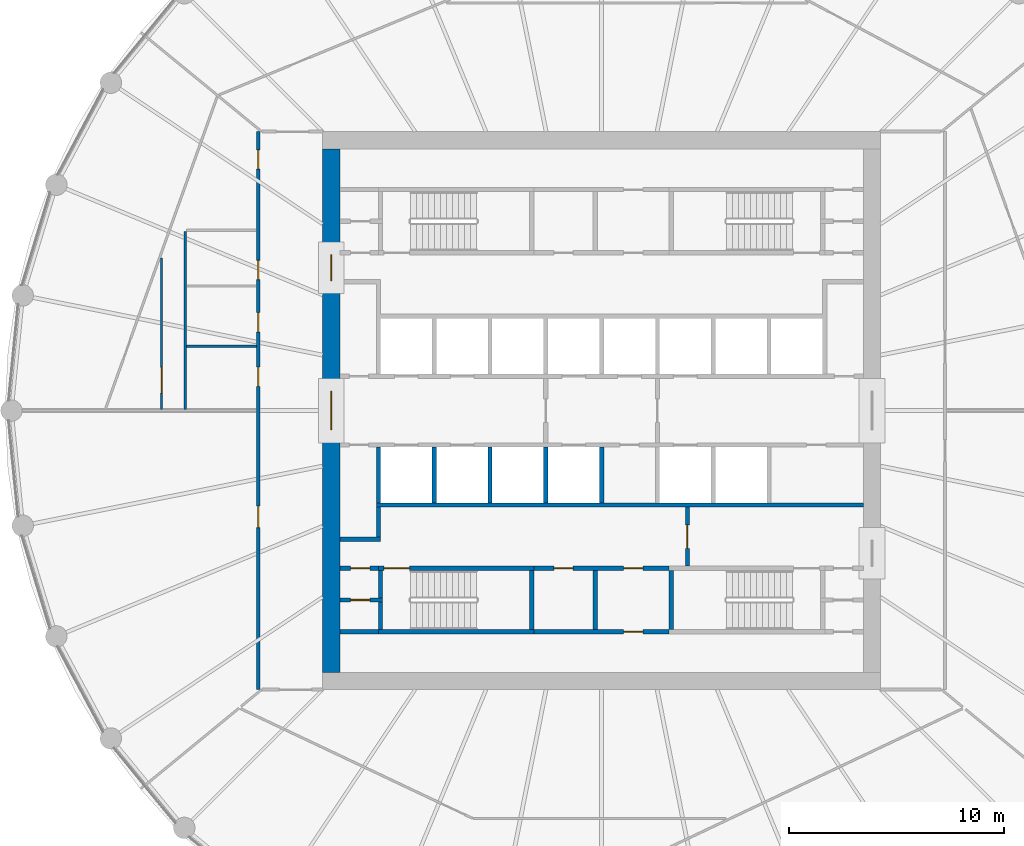
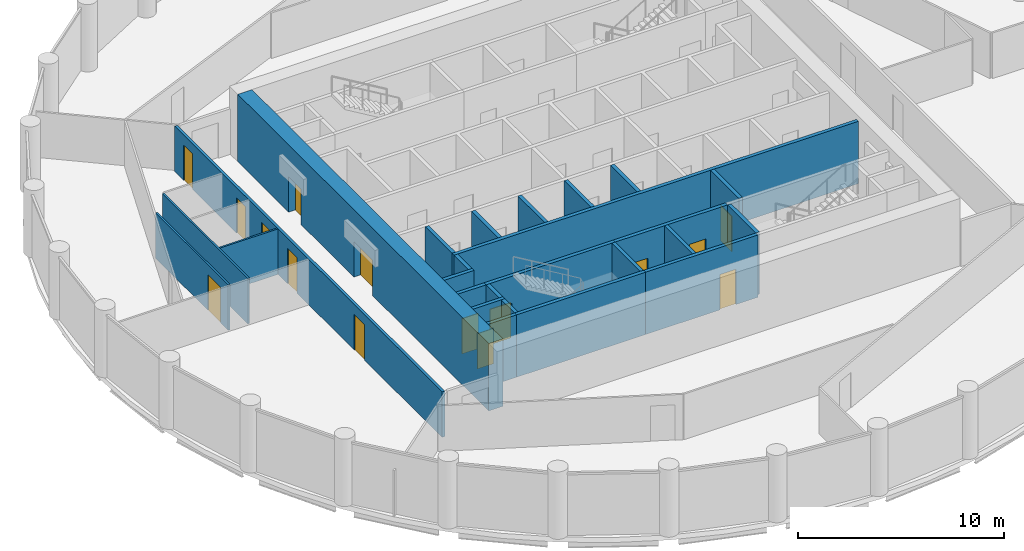
# One storey, part 4 of 8: 26 walls, 15 doors, 15 openings.
"""IFC4 building model written with IfcOpenShell, lengths in metres."""

from ifc_helpers import new_model, si_unit, direction, frame, frame_2d, origin, place, context, subcontext, project, spatial, polyline, rectangle, outline, extrude, material, layer, layer_set, type_object, element, fill, save


model = new_model("IFC4")

# Units and contexts
model_context = context("Model", 3, precision=1e-05, world=origin(), true_north=direction((0.0, 1.0)))
body_context = subcontext(model_context, "Body", "Model", "MODEL_VIEW")
ifc_project = project(units=[si_unit("LENGTHUNIT", "METRE"), si_unit("AREAUNIT", "SQUARE_METRE"), si_unit("VOLUMEUNIT", "CUBIC_METRE"), si_unit("PLANEANGLEUNIT", "RADIAN"), si_unit("MASSUNIT", "GRAM", prefix="KILO")], contexts=[model_context])

# Site, building, storey
site_placement = place(None, origin())
site = spatial("IfcSite", under=ifc_project, at=site_placement, CompositionType="ELEMENT")
building_placement = place(site_placement, origin())
building = spatial("IfcBuilding", under=site, at=building_placement, Name="Corvane Civic Tower", CompositionType="ELEMENT")
storey_placement = place(building_placement, frame((0.0, 0.0, 237.5)))
storey = spatial("IfcBuildingStorey", under=building, at=storey_placement, Name="L56", CompositionType="ELEMENT", Elevation=237.5)

# Wall, openings, doors
ifc_material_1 = material(Name="Concrete C50/60", Category="concrete")
ifc_layer_1 = layer(ifc_material_1, 0.800048828125)
ifc_layer_set_1 = layer_set([ifc_layer_1], Name="Concrete C50/60")
wall_type_1 = type_object("IfcWallType", Name="CORE WALL 800 C50/60", PredefinedType="SHEAR", material=ifc_layer_set_1)
wall_1_placement = place(storey_placement, frame((-12.60009765625, -12.199951171875, 0.0), z_axis=(0.0, 0.0, 1.0), x_axis=(0.0, 1.0, 0.0)))
wall_1 = element("IfcWall", 1, at=wall_1_placement, inside=storey, type_object=wall_type_1, Name="W-L56-core-W", PredefinedType="SHEAR", context=body_context, shape_type="SweptSolid", body=[
    extrude(rectangle(XDim=24.39990234375, YDim=0.800048828125, at=frame_2d((12.199951171875, 0.0))), origin(), (0.0, 0.0, 1.0), 4.0),
])
opening_1_placement = place(wall_1_placement, frame((11.300048828125, 0.0, 0.0)))
opening_1 = element("IfcOpeningElement", 2, at=opening_1_placement, cuts=wall_1, Name="Opening L56.C29", PredefinedType="OPENING", context=body_context, shape_type="SweptSolid", body=[
    extrude(rectangle(XDim=1.800048828125, YDim=2.10009765625, at=frame_2d((0.89990234375, 1.050048828125))), frame((0.0, 0.409912109375, 0.0), z_axis=(0.0, -1.0, 0.0), x_axis=(1.0, 0.0, 0.0)), (0.0, 0.0, 1.0), 0.820068359375),
])
opening_2_placement = place(wall_1_placement, frame((18.25, 0.0, 0.0)))
opening_2 = element("IfcOpeningElement", 3, at=opening_2_placement, cuts=wall_1, Name="Opening L56.C31", PredefinedType="OPENING", context=body_context, shape_type="SweptSolid", body=[
    extrude(rectangle(XDim=1.199951171875, YDim=2.10009765625, at=frame_2d((0.60009765625, 1.050048828125))), frame((0.0, 0.409912109375, 0.0), z_axis=(0.0, -1.0, 0.0), x_axis=(1.0, 0.0, 0.0)), (0.0, 0.0, 1.0), 0.820068359375),
])
ifc_material_2 = material(Name="Steel fire door leaf", Category="steel")
door_type_1 = type_object("IfcDoorType", Name="CR-DOOR-CORE-1800", OperationType="DOUBLE_DOOR_SINGLE_SWING", PredefinedType="DOOR", material=ifc_material_2)
door_1_placement = place(opening_1_placement, origin())
door_1 = element("IfcDoor", 4, at=door_1_placement, inside=storey, type_object=door_type_1, Name="L56 door", OperationType="DOUBLE_DOOR_SINGLE_SWING", OverallHeight=2.10009765625, OverallWidth=1.800048828125, PredefinedType="DOOR", context=body_context, shape_type="SweptSolid", body=[
    extrude(rectangle(XDim=1.800048828125, YDim=2.10009765625, at=frame_2d((0.89990234375, 1.050048828125))), frame((0.0, 0.02490234375, 0.0), z_axis=(0.0, -1.0, 0.0), x_axis=(1.0, 0.0, 0.0)), (0.0, 0.0, 1.0), 0.050048828125),
])
fill(opening_1, door_1)
door_2_placement = place(opening_2_placement, origin())
door_2 = element("IfcDoor", 5, at=door_2_placement, inside=storey, type_object=door_type_1, Name="L56 door", OperationType="DOUBLE_DOOR_SINGLE_SWING", OverallHeight=2.10009765625, OverallWidth=1.199951171875, PredefinedType="DOOR", context=body_context, shape_type="SweptSolid", body=[
    extrude(rectangle(XDim=1.199951171875, YDim=2.10009765625, at=frame_2d((0.60009765625, 1.050048828125))), frame((0.0, 0.02490234375, 0.0), z_axis=(0.0, -1.0, 0.0), x_axis=(1.0, 0.0, 0.0)), (0.0, 0.0, 1.0), 0.050048828125),
])
fill(opening_2, door_2)

# Wall, opening, door
ifc_material_3 = material(Name="Concrete C30/37", Category="concrete")
ifc_layer_2 = layer(ifc_material_3, 0.199951171875)
ifc_layer_set_2 = layer_set([ifc_layer_2], Name="Concrete C30/37")
wall_type_2 = type_object("IfcWallType", Name="CR-WALL-200", PredefinedType="PARTITIONING", material=ifc_layer_set_2)
wall_2_placement = place(storey_placement, frame((-3.14990234375, -10.300048828125, 0.0), z_axis=(0.0, 0.0, 1.0), x_axis=(1.0, 0.0, 0.0)))
wall_2 = element("IfcWall", 6, at=wall_2_placement, inside=storey, type_object=wall_type_2, Name="L56 partition wall", PredefinedType="PARTITIONING", context=body_context, shape_type="SweptSolid", body=[
    extrude(rectangle(XDim=6.2998046875, YDim=0.199951171875, at=frame_2d((3.14990234375, 0.0))), origin(), (0.0, 0.0, 1.0), 3.699951171875),
])
opening_3_placement = place(wall_2_placement, frame((4.175048828125, 0.0, 0.0)))
opening_3 = element("IfcOpeningElement", 7, at=opening_3_placement, cuts=wall_2, Name="Opening L56.C11", PredefinedType="OPENING", context=body_context, shape_type="SweptSolid", body=[
    extrude(rectangle(XDim=0.89990234375, YDim=2.10009765625, at=frame_2d((0.449951171875, 1.050048828125))), frame((0.0, 0.10986328125, 0.0), z_axis=(0.0, -1.0, 0.0), x_axis=(1.0, 0.0, 0.0)), (0.0, 0.0, 1.0), 0.219970703125),
])
ifc_material_4 = material(Name="Steel fire door leaf", Category="steel")
door_type_2 = type_object("IfcDoorType", Name="CR-DOOR-900", OperationType="SINGLE_SWING_LEFT", PredefinedType="DOOR", material=ifc_material_4)
door_3_placement = place(opening_3_placement, origin())
door_3 = element("IfcDoor", 8, at=door_3_placement, inside=storey, type_object=door_type_2, Name="L56 door", OperationType="SINGLE_SWING_LEFT", OverallHeight=2.10009765625, OverallWidth=0.89990234375, PredefinedType="DOOR", context=body_context, shape_type="SweptSolid", body=[
    extrude(rectangle(XDim=0.89990234375, YDim=2.10009765625, at=frame_2d((0.449951171875, 1.050048828125))), frame((0.0, 0.02490234375, 0.0), z_axis=(0.0, -1.0, 0.0), x_axis=(1.0, 0.0, 0.0)), (0.0, 0.0, 1.0), 0.050048828125),
])
fill(opening_3, door_3)

wall_3_placement = place(storey_placement, frame((-12.199951171875, -8.824951171875, 0.0), z_axis=(0.0, 0.0, 1.0), x_axis=(1.0, 0.0, 0.0)))
wall_3 = element("IfcWall", 9, at=wall_3_placement, inside=storey, type_object=wall_type_2, Name="L56 partition wall", PredefinedType="PARTITIONING", context=body_context, shape_type="SweptSolid", body=[
    extrude(rectangle(XDim=2.0, YDim=0.199951171875, at=frame_2d((1.0, 0.0))), origin(), (0.0, 0.0, 1.0), 3.699951171875),
])
opening_4_placement = place(wall_3_placement, frame((0.5, 0.0, 0.0)))
opening_4 = element("IfcOpeningElement", 10, at=opening_4_placement, cuts=wall_3, Name="Opening L56.C15", PredefinedType="OPENING", context=body_context, shape_type="SweptSolid", body=[
    extrude(rectangle(XDim=0.89990234375, YDim=2.10009765625, at=frame_2d((0.449951171875, 1.050048828125))), frame((0.0, 0.10986328125, 0.0), z_axis=(0.0, -1.0, 0.0), x_axis=(1.0, 0.0, 0.0)), (0.0, 0.0, 1.0), 0.219970703125),
])
door_4_placement = place(opening_4_placement, origin())
door_4 = element("IfcDoor", 11, at=door_4_placement, inside=storey, type_object=door_type_2, Name="L56 door", OperationType="SINGLE_SWING_LEFT", OverallHeight=2.10009765625, OverallWidth=0.89990234375, PredefinedType="DOOR", context=body_context, shape_type="SweptSolid", body=[
    extrude(rectangle(XDim=0.89990234375, YDim=2.10009765625, at=frame_2d((0.449951171875, 1.050048828125))), frame((0.0, 0.02490234375, 0.0), z_axis=(0.0, -1.0, 0.0), x_axis=(1.0, 0.0, 0.0)), (0.0, 0.0, 1.0), 0.050048828125),
])
fill(opening_4, door_4)

wall_4_placement = place(storey_placement, frame((-12.199951171875, -7.35009765625, 0.0), z_axis=(0.0, 0.0, 1.0), x_axis=(1.0, 0.0, 0.0)))
wall_4 = element("IfcWall", 12, at=wall_4_placement, inside=storey, type_object=wall_type_2, Name="L56 core partition wall", PredefinedType="PARTITIONING", context=body_context, shape_type="SweptSolid", body=[
    extrude(rectangle(XDim=1.800048828125, YDim=0.199951171875, at=frame_2d((0.89990234375, 0.0))), origin(), (0.0, 0.0, 1.0), 3.699951171875),
])
opening_5_placement = place(wall_4_placement, frame((0.5, 0.0, 0.0)))
opening_5 = element("IfcOpeningElement", 13, at=opening_5_placement, cuts=wall_4, Name="Opening L56.C14", PredefinedType="OPENING", context=body_context, shape_type="SweptSolid", body=[
    extrude(rectangle(XDim=0.89990234375, YDim=2.10009765625, at=frame_2d((0.449951171875, 1.050048828125))), frame((0.0, 0.10986328125, 0.0), z_axis=(0.0, -1.0, 0.0), x_axis=(1.0, 0.0, 0.0)), (0.0, 0.0, 1.0), 0.219970703125),
])
door_5_placement = place(opening_5_placement, origin())
door_5 = element("IfcDoor", 14, at=door_5_placement, inside=storey, type_object=door_type_2, Name="L56 door", OperationType="SINGLE_SWING_LEFT", OverallHeight=2.10009765625, OverallWidth=0.89990234375, PredefinedType="DOOR", context=body_context, shape_type="SweptSolid", body=[
    extrude(rectangle(XDim=0.89990234375, YDim=2.10009765625, at=frame_2d((0.449951171875, 1.050048828125))), frame((0.0, 0.02490234375, 0.0), z_axis=(0.0, -1.0, 0.0), x_axis=(1.0, 0.0, 0.0)), (0.0, 0.0, 1.0), 0.050048828125),
])
fill(opening_5, door_5)

# Wall, openings, doors
wall_5_placement = place(storey_placement, frame((-3.14990234375, -7.35009765625, 0.0), z_axis=(0.0, 0.0, 1.0), x_axis=(1.0, 0.0, 0.0)))
wall_5 = element("IfcWall", 15, at=wall_5_placement, inside=storey, type_object=wall_type_2, Name="L56 core partition wall", PredefinedType="PARTITIONING", context=body_context, shape_type="SweptSolid", body=[
    extrude(rectangle(XDim=6.2998046875, YDim=0.199951171875, at=frame_2d((3.14990234375, 0.0))), origin(), (0.0, 0.0, 1.0), 3.699951171875),
])
opening_6_placement = place(wall_5_placement, frame((0.925048828125, 0.0, 0.0)))
opening_6 = element("IfcOpeningElement", 16, at=opening_6_placement, cuts=wall_5, Name="Opening L56.C08", PredefinedType="OPENING", context=body_context, shape_type="SweptSolid", body=[
    extrude(rectangle(XDim=0.89990234375, YDim=2.10009765625, at=frame_2d((0.449951171875, 1.050048828125))), frame((0.0, 0.10986328125, 0.0), z_axis=(0.0, -1.0, 0.0), x_axis=(1.0, 0.0, 0.0)), (0.0, 0.0, 1.0), 0.219970703125),
])
opening_7_placement = place(wall_5_placement, frame((4.175048828125, 0.0, 0.0)))
opening_7 = element("IfcOpeningElement", 17, at=opening_7_placement, cuts=wall_5, Name="Opening L56.C09", PredefinedType="OPENING", context=body_context, shape_type="SweptSolid", body=[
    extrude(rectangle(XDim=0.89990234375, YDim=2.10009765625, at=frame_2d((0.449951171875, 1.050048828125))), frame((0.0, 0.10986328125, 0.0), z_axis=(0.0, -1.0, 0.0), x_axis=(1.0, 0.0, 0.0)), (0.0, 0.0, 1.0), 0.219970703125),
])
door_6_placement = place(opening_6_placement, origin())
door_6 = element("IfcDoor", 18, at=door_6_placement, inside=storey, type_object=door_type_2, Name="L56 door", OperationType="SINGLE_SWING_LEFT", OverallHeight=2.10009765625, OverallWidth=0.89990234375, PredefinedType="DOOR", context=body_context, shape_type="SweptSolid", body=[
    extrude(rectangle(XDim=0.89990234375, YDim=2.10009765625, at=frame_2d((0.449951171875, 1.050048828125))), frame((0.0, 0.02490234375, 0.0), z_axis=(0.0, -1.0, 0.0), x_axis=(1.0, 0.0, 0.0)), (0.0, 0.0, 1.0), 0.050048828125),
])
fill(opening_6, door_6)
door_7_placement = place(opening_7_placement, origin())
door_7 = element("IfcDoor", 19, at=door_7_placement, inside=storey, type_object=door_type_2, Name="L56 door", OperationType="SINGLE_SWING_LEFT", OverallHeight=2.10009765625, OverallWidth=0.89990234375, PredefinedType="DOOR", context=body_context, shape_type="SweptSolid", body=[
    extrude(rectangle(XDim=0.89990234375, YDim=2.10009765625, at=frame_2d((0.449951171875, 1.050048828125))), frame((0.0, 0.02490234375, 0.0), z_axis=(0.0, -1.0, 0.0), x_axis=(1.0, 0.0, 0.0)), (0.0, 0.0, 1.0), 0.050048828125),
])
fill(opening_7, door_7)

# Wall, opening, door
wall_6_placement = place(storey_placement, frame((4.0, -7.25, 0.0), z_axis=(0.0, 0.0, 1.0), x_axis=(0.0, 1.0, 0.0)))
wall_6 = element("IfcWall", 20, at=wall_6_placement, inside=storey, type_object=wall_type_2, Name="L56 core partition wall", PredefinedType="PARTITIONING", context=body_context, shape_type="SweptSolid", body=[
    extrude(rectangle(XDim=2.75, YDim=0.199951171875, at=frame_2d((1.375, 0.0))), origin(), (0.0, 0.0, 1.0), 3.699951171875),
])
opening_8_placement = place(wall_6_placement, frame((0.824951171875, 0.0, 0.0)))
opening_8 = element("IfcOpeningElement", 21, at=opening_8_placement, cuts=wall_6, Name="Opening L56.C28", PredefinedType="OPENING", context=body_context, shape_type="SweptSolid", body=[
    extrude(rectangle(XDim=1.10009765625, YDim=2.10009765625, at=frame_2d((0.550048828125, 1.050048828125))), frame((0.0, 0.10986328125, 0.0), z_axis=(0.0, -1.0, 0.0), x_axis=(1.0, 0.0, 0.0)), (0.0, 0.0, 1.0), 0.219970703125),
])
ifc_material_5 = material(Name="Steel fire door leaf", Category="steel")
door_type_3 = type_object("IfcDoorType", Name="CR-DOOR-FFL-1100", OperationType="SINGLE_SWING_LEFT", PredefinedType="DOOR", material=ifc_material_5)
door_8_placement = place(opening_8_placement, origin())
door_8 = element("IfcDoor", 22, at=door_8_placement, inside=storey, type_object=door_type_3, Name="L56 lobby door", OperationType="SINGLE_SWING_LEFT", OverallHeight=2.10009765625, OverallWidth=1.10009765625, PredefinedType="DOOR", context=body_context, shape_type="SweptSolid", body=[
    extrude(rectangle(XDim=1.10009765625, YDim=2.10009765625, at=frame_2d((0.550048828125, 1.050048828125))), frame((0.0, 0.02490234375, 0.0), z_axis=(0.0, -1.0, 0.0), x_axis=(1.0, 0.0, 0.0)), (0.0, 0.0, 1.0), 0.050048828125),
])
fill(opening_8, door_8)

# Walls
wall_7_placement = place(storey_placement, origin())
element("IfcWall", 23, at=wall_7_placement, inside=storey, type_object=wall_type_2, Name="L56 core partition wall", PredefinedType="PARTITIONING", context=body_context, shape_type="SweptSolid", body=[
    extrude(outline(polyline([(12.199951171875, -4.300048828125), (12.199951171875, -4.5), (-10.5, -4.5), (-10.5, -4.300048828125), (12.199951171875, -4.300048828125)])), origin(), (0.0, 0.0, 1.0), 3.699951171875),
])
wall_8_placement = place(storey_placement, origin())
element("IfcWall", 24, at=wall_8_placement, inside=storey, type_object=wall_type_2, Name="L56 core partition wall", PredefinedType="PARTITIONING", context=body_context, shape_type="SweptSolid", body=[
    extrude(outline(polyline([(-2.5, -1.699951171875), (-2.5, -4.2998046875), (-2.699951171875, -4.2998046875), (-2.699951171875, -1.699951171875), (-2.5, -1.699951171875)])), origin(), (0.0, 0.0, 1.0), 3.699951171875),
])
wall_9_placement = place(storey_placement, origin())
element("IfcWall", 25, at=wall_9_placement, inside=storey, type_object=wall_type_2, Name="L56 core partition wall", PredefinedType="PARTITIONING", context=body_context, shape_type="SweptSolid", body=[
    extrude(outline(polyline([(0.10009765625, -1.699951171875), (0.10009765625, -4.2998046875), (-0.10009765625, -4.2998046875), (-0.10009765625, -1.699951171875), (0.10009765625, -1.699951171875)])), origin(), (0.0, 0.0, 1.0), 3.699951171875),
])
wall_10_placement = place(storey_placement, origin())
element("IfcWall", 26, at=wall_10_placement, inside=storey, type_object=wall_type_2, Name="L56 core partition wall", PredefinedType="PARTITIONING", context=body_context, shape_type="SweptSolid", body=[
    extrude(outline(polyline([(-10.300048828125, -1.699951171875), (-10.300048828125, -4.2998046875), (-10.5, -4.2998046875), (-10.5, -1.699951171875), (-10.300048828125, -1.699951171875)])), origin(), (0.0, 0.0, 1.0), 3.699951171875),
])
wall_11_placement = place(storey_placement, origin())
element("IfcWall", 27, at=wall_11_placement, inside=storey, type_object=wall_type_2, Name="L56 core partition wall", PredefinedType="PARTITIONING", context=body_context, shape_type="SweptSolid", body=[
    extrude(outline(polyline([(-7.699951171875, -1.699951171875), (-7.699951171875, -4.2998046875), (-7.89990234375, -4.2998046875), (-7.89990234375, -1.699951171875), (-7.699951171875, -1.699951171875)])), origin(), (0.0, 0.0, 1.0), 3.699951171875),
])
wall_12_placement = place(storey_placement, origin())
element("IfcWall", 28, at=wall_12_placement, inside=storey, type_object=wall_type_2, Name="L56 core partition wall", PredefinedType="PARTITIONING", context=body_context, shape_type="SweptSolid", body=[
    extrude(outline(polyline([(-5.10009765625, -1.699951171875), (-5.10009765625, -4.2998046875), (-5.300048828125, -4.2998046875), (-5.300048828125, -1.699951171875), (-5.10009765625, -1.699951171875)])), origin(), (0.0, 0.0, 1.0), 3.699951171875),
])
wall_13_placement = place(storey_placement, origin())
element("IfcWall", 29, at=wall_13_placement, inside=storey, type_object=wall_type_2, Name="L56 core partition wall", PredefinedType="PARTITIONING", context=body_context, shape_type="SweptSolid", body=[
    extrude(outline(polyline([(-10.300048828125, -6.10009765625), (-12.199951171875, -6.10009765625), (-12.199951171875, -5.89990234375), (-10.300048828125, -5.89990234375), (-10.300048828125, -6.10009765625)])), origin(), (0.0, 0.0, 1.0), 3.699951171875),
])
wall_14_placement = place(storey_placement, origin())
element("IfcWall", 30, at=wall_14_placement, inside=storey, type_object=wall_type_2, Name="L56 core partition wall", PredefinedType="PARTITIONING", context=body_context, shape_type="SweptSolid", body=[
    extrude(outline(polyline([(-10.300048828125, -5.89990234375), (-10.5, -5.89990234375), (-10.5, -4.5), (-10.300048828125, -4.5), (-10.300048828125, -5.89990234375)])), origin(), (0.0, 0.0, 1.0), 3.699951171875),
])
wall_15_placement = place(storey_placement, origin())
element("IfcWall", 31, at=wall_15_placement, inside=storey, type_object=wall_type_2, Name="L56 core partition wall", PredefinedType="PARTITIONING", context=body_context, shape_type="SweptSolid", body=[
    extrude(outline(polyline([(-10.39990234375, -10.39990234375), (-12.199951171875, -10.39990234375), (-12.199951171875, -10.199951171875), (-10.39990234375, -10.199951171875), (-10.39990234375, -10.39990234375)])), origin(), (0.0, 0.0, 1.0), 3.699951171875),
])
wall_16_placement = place(storey_placement, origin())
element("IfcWall", 32, at=wall_16_placement, inside=storey, type_object=wall_type_2, Name="L56 core partition wall", PredefinedType="PARTITIONING", context=body_context, shape_type="SweptSolid", body=[
    extrude(outline(polyline([(-0.199951171875, -10.199951171875), (-0.39990234375, -10.199951171875), (-0.39990234375, -7.449951171875), (-0.199951171875, -7.449951171875), (-0.199951171875, -10.199951171875)])), origin(), (0.0, 0.0, 1.0), 3.699951171875),
])

# Wall, opening, door
ifc_material_6 = material(Name="Plasterboard")
ifc_layer_3 = layer(ifc_material_6, 0.10009765625)
ifc_layer_set_3 = layer_set([ifc_layer_3], Name="Plasterboard")
wall_type_3 = type_object("IfcWallType", Name="Partition 100 plasterboard on studs", PredefinedType="PARTITIONING", material=ifc_layer_set_3)
wall_17_placement = place(storey_placement, frame((-20.5, 0.050048828125, 0.0), z_axis=(0.0, 0.0, 1.0), x_axis=(0.0, 1.0, 0.0)))
wall_17 = element("IfcWall", 33, at=wall_17_placement, inside=storey, type_object=wall_type_3, Name="Partition L56.017", PredefinedType="PARTITIONING", context=body_context, shape_type="SweptSolid", body=[
    extrude(rectangle(XDim=7.05322265625, YDim=0.10009765625, at=frame_2d((3.526611328125, 0.0))), origin(), (0.0, 0.0, 1.0), 2.699951171875),
])
opening_9_placement = place(wall_17_placement, frame((0.767578125, 0.0, 0.0)))
opening_9 = element("IfcOpeningElement", 34, at=opening_9_placement, cuts=wall_17, Name="Opening L56.013", PredefinedType="OPENING", context=body_context, shape_type="SweptSolid", body=[
    extrude(rectangle(XDim=1.199951171875, YDim=2.10009765625, at=frame_2d((0.60009765625, 1.050048828125))), frame((0.0, 0.06005859375, 0.0), z_axis=(0.0, -1.0, 0.0), x_axis=(1.0, 0.0, 0.0)), (0.0, 0.0, 1.0), 0.1201171875),
])
ifc_material_7 = material(Name="Timber", Category="wood")
door_type_4 = type_object("IfcDoorType", Name="Double door 1200", OperationType="NOTDEFINED", PredefinedType="DOOR", material=ifc_material_7)
door_9_placement = place(opening_9_placement, origin())
door_9 = element("IfcDoor", 35, at=door_9_placement, inside=storey, type_object=door_type_4, Name="Door L56.013", OperationType="DOUBLE_DOOR_SINGLE_SWING", OverallHeight=2.10009765625, OverallWidth=1.199951171875, PredefinedType="DOOR", context=body_context, shape_type="SweptSolid", body=[
    extrude(rectangle(XDim=1.199951171875, YDim=2.10009765625, at=frame_2d((0.60009765625, 1.050048828125))), frame((0.0, 0.02490234375, 0.0), z_axis=(0.0, -1.0, 0.0), x_axis=(1.0, 0.0, 0.0)), (0.0, 0.0, 1.0), 0.050048828125),
])
fill(opening_9, door_9)

# Walls
wall_18_placement = place(storey_placement, frame((-19.39990234375, 0.050048828125, 0.0), z_axis=(0.0, 0.0, 1.0), x_axis=(0.0, 1.0, 0.0)))
element("IfcWall", 36, at=wall_18_placement, inside=storey, type_object=wall_type_3, Name="Partition L56.018", PredefinedType="PARTITIONING", context=body_context, shape_type="SweptSolid", body=[
    extrude(rectangle(XDim=8.300048828125, YDim=0.10009765625, at=frame_2d((4.14990234375, 0.0))), origin(), (0.0, 0.0, 1.0), 2.699951171875),
])
wall_19_placement = place(storey_placement, frame((-19.35009765625, 3.0, 0.0), z_axis=(0.0, 0.0, 1.0), x_axis=(1.0, 0.0, 0.0)))
element("IfcWall", 37, at=wall_19_placement, inside=storey, type_object=wall_type_3, Name="Partition L56.021", PredefinedType="PARTITIONING", context=body_context, shape_type="SweptSolid", body=[
    extrude(rectangle(XDim=3.275146484375, YDim=0.10009765625, at=frame_2d((1.6376953125, 0.0))), origin(), (0.0, 0.0, 1.0), 2.699951171875),
])

# Wall, opening, door
ifc_material_8 = material(Name="Concrete C50/60", Category="concrete")
ifc_layer_4 = layer(ifc_material_8, 0.199951171875)
ifc_layer_set_4 = layer_set([ifc_layer_4], Name="Concrete C50/60")
wall_type_4 = type_object("IfcWallType", Name="ST-WALL-200", PredefinedType="SHEAR", material=ifc_layer_set_4)
wall_20_placement = place(storey_placement, frame((-10.39990234375, -7.35009765625, 0.0), z_axis=(0.0, 0.0, 1.0), x_axis=(1.0, 0.0, 0.0)))
wall_20 = element("IfcWall", 38, at=wall_20_placement, inside=storey, type_object=wall_type_4, Name="L56 stair enclosure wall", PredefinedType="SHEAR", context=body_context, shape_type="SweptSolid", body=[
    extrude(rectangle(XDim=7.25, YDim=0.199951171875, at=frame_2d((3.625, 0.0))), origin(), (0.0, 0.0, 1.0), 3.699951171875),
])
opening_10_placement = place(wall_20_placement, frame((0.25, 0.0, 0.0)))
opening_10 = element("IfcOpeningElement", 39, at=opening_10_placement, cuts=wall_20, Name="Opening L56.C25", PredefinedType="OPENING", context=body_context, shape_type="SweptSolid", body=[
    extrude(rectangle(XDim=1.199951171875, YDim=2.10009765625, at=frame_2d((0.60009765625, 1.050048828125))), frame((0.0, 0.10986328125, 0.0), z_axis=(0.0, -1.0, 0.0), x_axis=(1.0, 0.0, 0.0)), (0.0, 0.0, 1.0), 0.219970703125),
])
ifc_material_9 = material(Name="Steel fire door leaf", Category="steel")
door_type_5 = type_object("IfcDoorType", Name="ST-DOOR-1200", OperationType="SINGLE_SWING_RIGHT", PredefinedType="DOOR", material=ifc_material_9)
door_10_placement = place(opening_10_placement, origin())
door_10 = element("IfcDoor", 40, at=door_10_placement, inside=storey, type_object=door_type_5, Name="L56 stair door", OperationType="SINGLE_SWING_RIGHT", OverallHeight=2.10009765625, OverallWidth=1.199951171875, PredefinedType="DOOR", context=body_context, shape_type="SweptSolid", body=[
    extrude(rectangle(XDim=1.199951171875, YDim=2.10009765625, at=frame_2d((0.60009765625, 1.050048828125))), frame((0.0, 0.02490234375, 0.0), z_axis=(0.0, -1.0, 0.0), x_axis=(1.0, 0.0, 0.0)), (0.0, 0.0, 1.0), 0.050048828125),
])
fill(opening_10, door_10)

# Walls
wall_21_placement = place(storey_placement, origin())
element("IfcWall", 41, at=wall_21_placement, inside=storey, type_object=wall_type_4, Name="L56 stair enclosure wall", PredefinedType="SHEAR", context=body_context, shape_type="SweptSolid", body=[
    extrude(outline(polyline([(-3.14990234375, -10.199951171875), (-3.14990234375, -10.39990234375), (-10.39990234375, -10.39990234375), (-10.39990234375, -10.199951171875), (-3.14990234375, -10.199951171875)])), origin(), (0.0, 0.0, 1.0), 3.699951171875),
])
wall_22_placement = place(storey_placement, origin())
element("IfcWall", 42, at=wall_22_placement, inside=storey, type_object=wall_type_4, Name="L56 stair enclosure wall", PredefinedType="SHEAR", context=body_context, shape_type="SweptSolid", body=[
    extrude(outline(polyline([(-3.14990234375, -7.449951171875), (-3.14990234375, -10.199951171875), (-3.35009765625, -10.199951171875), (-3.35009765625, -7.449951171875), (-3.14990234375, -7.449951171875)])), origin(), (0.0, 0.0, 1.0), 3.699951171875),
])
wall_23_placement = place(storey_placement, origin())
element("IfcWall", 43, at=wall_23_placement, inside=storey, type_object=wall_type_4, Name="L56 stair enclosure wall", PredefinedType="SHEAR", context=body_context, shape_type="SweptSolid", body=[
    extrude(outline(polyline([(3.35009765625, -7.449951171875), (3.35009765625, -10.199951171875), (3.14990234375, -10.199951171875), (3.14990234375, -7.449951171875), (3.35009765625, -7.449951171875)])), origin(), (0.0, 0.0, 1.0), 3.699951171875),
])
wall_24_placement = place(storey_placement, origin())
element("IfcWall", 44, at=wall_24_placement, inside=storey, type_object=wall_type_4, Name="L56 stair enclosure wall", PredefinedType="SHEAR", context=body_context, shape_type="SweptSolid", body=[
    extrude(outline(polyline([(-10.199951171875, -7.449951171875), (-10.199951171875, -8.72509765625), (-10.39990234375, -8.72509765625), (-10.39990234375, -7.449951171875), (-10.199951171875, -7.449951171875)])), origin(), (0.0, 0.0, 1.0), 3.699951171875),
])
wall_25_placement = place(storey_placement, origin())
element("IfcWall", 45, at=wall_25_placement, inside=storey, type_object=wall_type_4, Name="L56 stair enclosure wall", PredefinedType="SHEAR", context=body_context, shape_type="SweptSolid", body=[
    extrude(outline(polyline([(-10.199951171875, -8.925048828125), (-10.199951171875, -10.199951171875), (-10.39990234375, -10.199951171875), (-10.39990234375, -8.925048828125), (-10.199951171875, -8.925048828125)])), origin(), (0.0, 0.0, 1.0), 3.699951171875),
])

# Wall, openings, doors
ifc_material_10 = material(Name="Plasterboard")
ifc_layer_5 = layer(ifc_material_10, 0.14990234375)
ifc_layer_set_5 = layer_set([ifc_layer_5], Name="Plasterboard")
wall_type_5 = type_object("IfcWallType", Name="Tenancy wall 150 EI 60", PredefinedType="PARTITIONING", material=ifc_layer_set_5)
wall_26_placement = place(storey_placement, frame((-16.0, -13.0, 0.0), z_axis=(0.0, 0.0, 1.0), x_axis=(0.0, 1.0, 0.0)))
wall_26 = element("IfcWall", 46, at=wall_26_placement, inside=storey, type_object=wall_type_5, Name="Partition L56.009", PredefinedType="PARTITIONING", context=body_context, shape_type="SweptSolid", body=[
    extrude(rectangle(XDim=26.0, YDim=0.14990234375, at=frame_2d((13.0, 0.0))), origin(), (0.0, 0.0, 1.0), 2.699951171875),
])
opening_11_placement = place(wall_26_placement, frame((7.54541015625, 0.0, 0.0)))
opening_11 = element("IfcOpeningElement", 47, at=opening_11_placement, cuts=wall_26, Name="Opening L56.011", PredefinedType="OPENING", context=body_context, shape_type="SweptSolid", body=[
    extrude(rectangle(XDim=1.0, YDim=2.10009765625, at=frame_2d((0.5, 1.050048828125))), frame((0.0, 0.0849609375, 0.0), z_axis=(0.0, -1.0, 0.0), x_axis=(1.0, 0.0, 0.0)), (0.0, 0.0, 1.0), 0.169921875),
])
opening_12_placement = place(wall_26_placement, frame((24.24658203125, 0.0, 0.0)))
opening_12 = element("IfcOpeningElement", 48, at=opening_12_placement, cuts=wall_26, Name="Opening L56.014", PredefinedType="OPENING", context=body_context, shape_type="SweptSolid", body=[
    extrude(rectangle(XDim=0.89990234375, YDim=2.10009765625, at=frame_2d((0.449951171875, 1.050048828125))), frame((0.0, 0.0849609375, 0.0), z_axis=(0.0, -1.0, 0.0), x_axis=(1.0, 0.0, 0.0)), (0.0, 0.0, 1.0), 0.169921875),
])
opening_13_placement = place(wall_26_placement, frame((14.12744140625, 0.0, 0.0)))
opening_13 = element("IfcOpeningElement", 49, at=opening_13_placement, cuts=wall_26, Name="Opening L56.015", PredefinedType="OPENING", context=body_context, shape_type="SweptSolid", body=[
    extrude(rectangle(XDim=0.89990234375, YDim=2.10009765625, at=frame_2d((0.449951171875, 1.050048828125))), frame((0.0, 0.0849609375, 0.0), z_axis=(0.0, -1.0, 0.0), x_axis=(1.0, 0.0, 0.0)), (0.0, 0.0, 1.0), 0.169921875),
])
opening_14_placement = place(wall_26_placement, frame((16.65966796875, 0.0, 0.0)))
opening_14 = element("IfcOpeningElement", 50, at=opening_14_placement, cuts=wall_26, Name="Opening L56.016", PredefinedType="OPENING", context=body_context, shape_type="SweptSolid", body=[
    extrude(rectangle(XDim=0.89990234375, YDim=2.10009765625, at=frame_2d((0.449951171875, 1.050048828125))), frame((0.0, 0.0849609375, 0.0), z_axis=(0.0, -1.0, 0.0), x_axis=(1.0, 0.0, 0.0)), (0.0, 0.0, 1.0), 0.169921875),
])
opening_15_placement = place(wall_26_placement, frame((19.10009765625, 0.0, 0.0)))
opening_15 = element("IfcOpeningElement", 51, at=opening_15_placement, cuts=wall_26, Name="Opening L56.017", PredefinedType="OPENING", context=body_context, shape_type="SweptSolid", body=[
    extrude(rectangle(XDim=0.89990234375, YDim=2.10009765625, at=frame_2d((0.449951171875, 1.050048828125))), frame((0.0, 0.0849609375, 0.0), z_axis=(0.0, -1.0, 0.0), x_axis=(1.0, 0.0, 0.0)), (0.0, 0.0, 1.0), 0.169921875),
])
ifc_material_11 = material(Name="Steel and timber", Category="steel")
door_type_6 = type_object("IfcDoorType", Name="Fire door FD30S 1000", OperationType="NOTDEFINED", PredefinedType="DOOR", material=ifc_material_11)
door_11_placement = place(opening_11_placement, origin())
door_11 = element("IfcDoor", 52, at=door_11_placement, inside=storey, type_object=door_type_6, Name="Door L56.011", OperationType="SINGLE_SWING_LEFT", OverallHeight=2.10009765625, OverallWidth=1.0, PredefinedType="DOOR", context=body_context, shape_type="SweptSolid", body=[
    extrude(rectangle(XDim=1.0, YDim=2.10009765625, at=frame_2d((0.5, 1.050048828125))), frame((0.0, 0.02490234375, 0.0), z_axis=(0.0, -1.0, 0.0), x_axis=(1.0, 0.0, 0.0)), (0.0, 0.0, 1.0), 0.050048828125),
])
fill(opening_11, door_11)
ifc_material_12 = material(Name="Steel and timber", Category="steel")
door_type_7 = type_object("IfcDoorType", Name="Fire door FD30S 900", OperationType="NOTDEFINED", PredefinedType="DOOR", material=ifc_material_12)
door_12_placement = place(opening_12_placement, origin())
door_12 = element("IfcDoor", 53, at=door_12_placement, inside=storey, type_object=door_type_7, Name="Door L56.014", OperationType="SINGLE_SWING_LEFT", OverallHeight=2.10009765625, OverallWidth=0.89990234375, PredefinedType="DOOR", context=body_context, shape_type="SweptSolid", body=[
    extrude(rectangle(XDim=0.89990234375, YDim=2.10009765625, at=frame_2d((0.449951171875, 1.050048828125))), frame((0.0, 0.02490234375, 0.0), z_axis=(0.0, -1.0, 0.0), x_axis=(1.0, 0.0, 0.0)), (0.0, 0.0, 1.0), 0.050048828125),
])
fill(opening_12, door_12)
door_13_placement = place(opening_13_placement, origin())
door_13 = element("IfcDoor", 54, at=door_13_placement, inside=storey, type_object=door_type_7, Name="Door L56.015", OperationType="SINGLE_SWING_LEFT", OverallHeight=2.10009765625, OverallWidth=0.89990234375, PredefinedType="DOOR", context=body_context, shape_type="SweptSolid", body=[
    extrude(rectangle(XDim=0.89990234375, YDim=2.10009765625, at=frame_2d((0.449951171875, 1.050048828125))), frame((0.0, 0.02490234375, 0.0), z_axis=(0.0, -1.0, 0.0), x_axis=(1.0, 0.0, 0.0)), (0.0, 0.0, 1.0), 0.050048828125),
])
fill(opening_13, door_13)
door_14_placement = place(opening_14_placement, origin())
door_14 = element("IfcDoor", 55, at=door_14_placement, inside=storey, type_object=door_type_7, Name="Door L56.016", OperationType="SINGLE_SWING_RIGHT", OverallHeight=2.10009765625, OverallWidth=0.89990234375, PredefinedType="DOOR", context=body_context, shape_type="SweptSolid", body=[
    extrude(rectangle(XDim=0.89990234375, YDim=2.10009765625, at=frame_2d((0.449951171875, 1.050048828125))), frame((0.0, 0.02490234375, 0.0), z_axis=(0.0, -1.0, 0.0), x_axis=(1.0, 0.0, 0.0)), (0.0, 0.0, 1.0), 0.050048828125),
])
fill(opening_14, door_14)
door_15_placement = place(opening_15_placement, origin())
door_15 = element("IfcDoor", 56, at=door_15_placement, inside=storey, type_object=door_type_7, Name="Door L56.017", OperationType="SINGLE_SWING_LEFT", OverallHeight=2.10009765625, OverallWidth=0.89990234375, PredefinedType="DOOR", context=body_context, shape_type="SweptSolid", body=[
    extrude(rectangle(XDim=0.89990234375, YDim=2.10009765625, at=frame_2d((0.449951171875, 1.050048828125))), frame((0.0, 0.02490234375, 0.0), z_axis=(0.0, -1.0, 0.0), x_axis=(1.0, 0.0, 0.0)), (0.0, 0.0, 1.0), 0.050048828125),
])
fill(opening_15, door_15)

save(model, "model.ifc")
